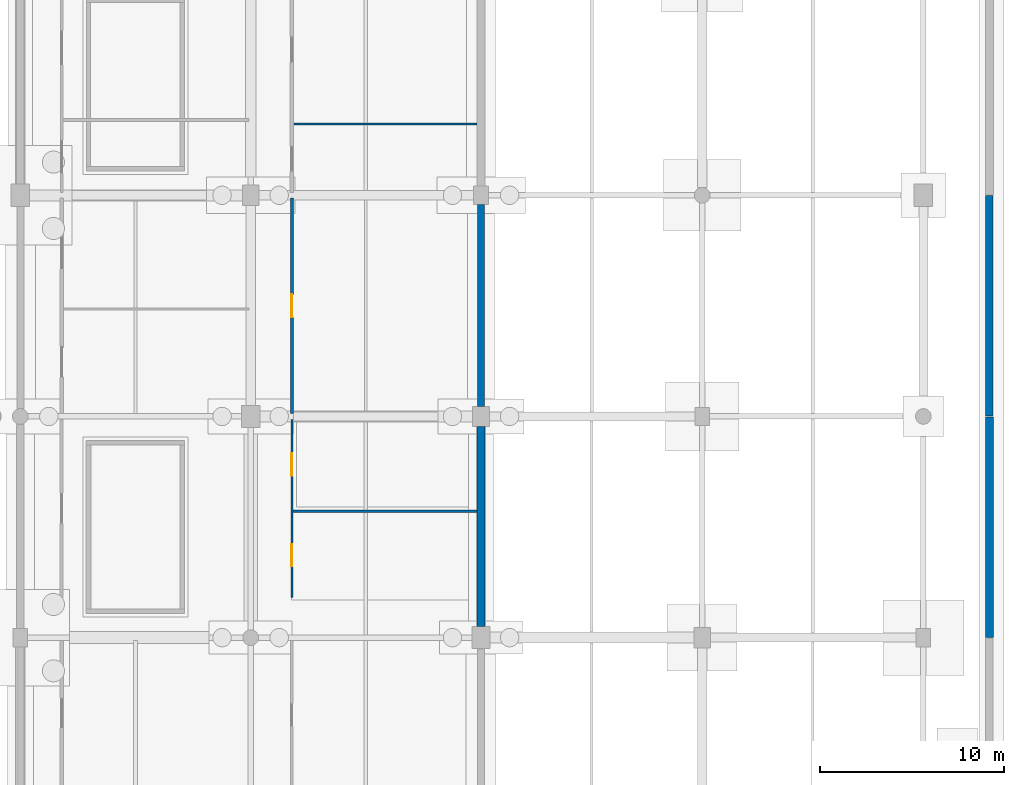
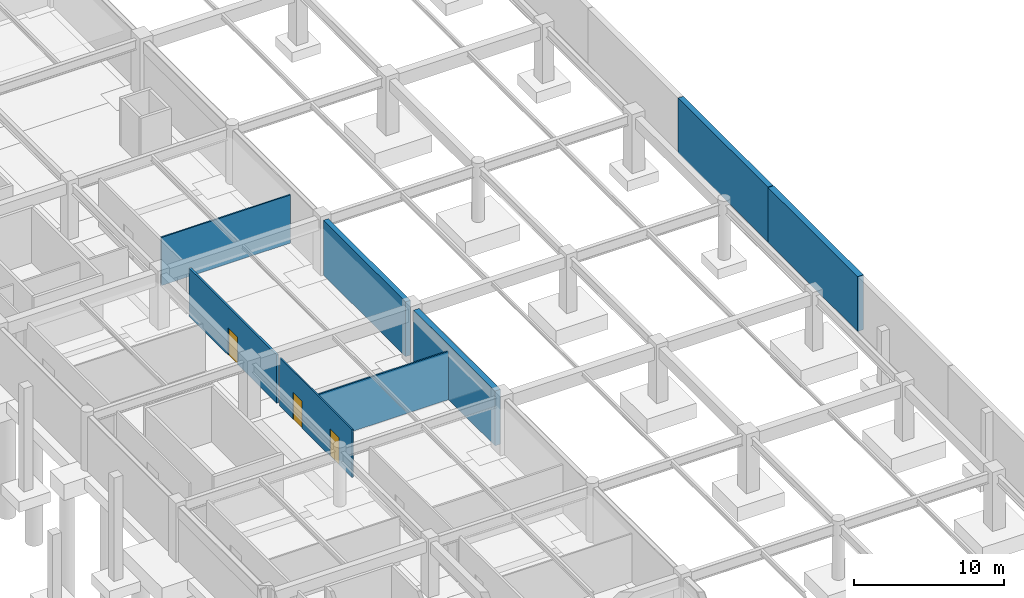
# One storey, part 33 of 56: 8 walls, 3 doors, 3 openings.
"""IFC4 building model written with IfcOpenShell, lengths in metres."""

import ifcopenshell
import ifcopenshell.guid

model = None  # the IFC model being written
_history = None  # IfcOwnerHistory: only IFC2X3 demands one
_inside = {}  # id of a spatial element -> (the spatial element, [elements in it])
_under = {}  # id of a project, library or spatial element -> (it, [spatial elements below it])
_declared = {}  # id of a project -> (the project, [libraries it declares])
_typed = {}  # id of a type object -> (the type object, [elements of that type])
_made_of = {}  # id of a material, layer set ... -> (it, [elements and type objects made of it])


def new_model(schema):
    """Start an empty IFC model of exactly this schema.

    Asked for "IFC4X3", IfcOpenShell would pick the latest addendum, in which some entities
    have other attributes; the version numbers below select the first issue.
    IFC2X3 requires an IfcOwnerHistory on every rooted entity: one is made here for all.
    """
    global model, _history
    if schema == "IFC4X3":
        model = ifcopenshell.file(schema_version=(4, 3, 0, 0))
    else:
        model = ifcopenshell.file(schema=schema)
    _inside.clear()
    _under.clear()
    _declared.clear()
    _typed.clear()
    _made_of.clear()
    _history = None
    if model.schema == "IFC2X3":
        org = make("IfcOrganization", Name="unknown")
        user = make(
            "IfcPersonAndOrganization",
            ThePerson=make("IfcPerson", FamilyName="unknown"),
            TheOrganization=org,
        )
        app = make(
            "IfcApplication",
            ApplicationDeveloper=org,
            Version="unknown",
            ApplicationFullName="unknown",
            ApplicationIdentifier="unknown",
        )
        _history = make(
            "IfcOwnerHistory",
            OwningUser=user,
            OwningApplication=app,
            ChangeAction="ADDED",
            CreationDate=0,
        )
    return model


def make(cls, **values):
    """One entity of the class cls with the attributes given. An attribute that is None is left unset."""
    return model.create_entity(
        cls, **{name: value for name, value in values.items() if value is not None}
    )


def rooted(cls, **values):
    """An entity with a GlobalId (a new one), such as an element, a storey or a relation."""
    return make(cls, GlobalId=ifcopenshell.guid.new(), OwnerHistory=_history, **values)


def si_unit(unit_type, name, prefix=None):
    """IfcSIUnit, for example si_unit("LENGTHUNIT", "METRE", prefix="MILLI")."""
    return make("IfcSIUnit", UnitType=unit_type, Prefix=prefix, Name=name)


def assignment(units):
    """IfcUnitAssignment: the units of a project."""
    return None if units is None else make("IfcUnitAssignment", Units=units)


def point(xyz):
    """IfcCartesianPoint."""
    return None if xyz is None else make("IfcCartesianPoint", Coordinates=xyz)


def direction(xyz):
    """IfcDirection."""
    return None if xyz is None else make("IfcDirection", DirectionRatios=xyz)


def frame(location, z_axis=None, x_axis=None):
    """IfcAxis2Placement3D, a coordinate frame: its origin and axes. An axis left out is left unset."""
    return make(
        "IfcAxis2Placement3D",
        Location=point(location),
        Axis=direction(z_axis),
        RefDirection=direction(x_axis),
    )


def frame_2d(location, x_axis=None):
    """IfcAxis2Placement2D, a coordinate frame in the plane: its origin and x axis."""
    return make(
        "IfcAxis2Placement2D", Location=point(location), RefDirection=direction(x_axis)
    )


def origin():
    """The frame at (0, 0, 0) with its axes left unset."""
    return frame((0.0, 0.0, 0.0))


def place(relative_to, where):
    """IfcLocalPlacement: puts the frame where relative to a parent placement (None: the world)."""
    return make(
        "IfcLocalPlacement", PlacementRelTo=relative_to, RelativePlacement=where
    )


def context(
    kind, dimensions, precision=None, world=None, true_north=None, identifier=None
):
    """IfcGeometricRepresentationContext, for example the 3D "Model" context."""
    return make(
        "IfcGeometricRepresentationContext",
        ContextIdentifier=identifier,
        ContextType=kind,
        CoordinateSpaceDimension=dimensions,
        Precision=precision,
        WorldCoordinateSystem=world,
        TrueNorth=true_north,
    )


def subcontext(parent, identifier, kind, view, scale=None):
    """IfcGeometricRepresentationSubContext, for example "Body" below "Model"."""
    return make(
        "IfcGeometricRepresentationSubContext",
        ContextIdentifier=identifier,
        ContextType=kind,
        ParentContext=parent,
        TargetScale=scale,
        TargetView=view,
    )


def project(units=None, contexts=None):
    """IfcProject with its units and contexts."""
    return rooted(
        "IfcProject",
        Name="project",
        RepresentationContexts=contexts,
        UnitsInContext=assignment(units),
    )


def spatial(cls, under=None, at=None, **own):
    """A site, building, storey or space (cls), placed at a placement, below another one or the project."""
    s = rooted(cls, ObjectPlacement=at, **own)
    if under is not None:
        _under.setdefault(under.id(), (under, []))[1].append(s)
    return s


def profile(cls, at=None, kind="AREA", **sizes):
    """A parametric profile (cls). Its sizes go by their IFC names, for example OverallWidth=200.0."""
    return make(cls, ProfileType=kind, Position=at, **sizes)


def rectangle(**sizes):
    """IfcRectangleProfileDef."""
    return profile("IfcRectangleProfileDef", **sizes)


def extrude(swept, where, along, depth):
    """IfcExtrudedAreaSolid: the profile swept, set in the frame where, extruded along a direction by depth."""
    return make(
        "IfcExtrudedAreaSolid",
        SweptArea=swept,
        Position=where,
        ExtrudedDirection=direction(along),
        Depth=depth,
    )


def shape(context_of_items, identifier, shape_type, items):
    """IfcShapeRepresentation: the items that make up one representation, for example the "Body"."""
    return make(
        "IfcShapeRepresentation",
        ContextOfItems=context_of_items,
        RepresentationIdentifier=identifier,
        RepresentationType=shape_type,
        Items=items,
    )


def material(Name=None, Category=None):
    """IfcMaterial."""
    return make("IfcMaterial", Name=Name, Category=Category)


def layer(
    of_material, thickness, ventilated=None, Name=None, Category=None, Priority=None
):
    """IfcMaterialLayer: one layer of a wall or slab, of a material (None: an air gap)."""
    return make(
        "IfcMaterialLayer",
        Material=of_material,
        LayerThickness=thickness,
        IsVentilated=ventilated,
        Name=Name,
        Category=Category,
        Priority=Priority,
    )


def layer_set(layers, Name=None):
    """IfcMaterialLayerSet."""
    return make("IfcMaterialLayerSet", MaterialLayers=layers, LayerSetName=Name)


def made_of(thing, what):
    """Note that an element or type object is made of a material, layer set ...; save() writes the relation."""
    if what is not None:
        _made_of.setdefault(what.id(), (what, []))[1].append(thing)
    return thing


def type_object(cls, material=None, **own):
    """A type object (cls), such as IfcWallType, which elements share."""
    return made_of(rooted(cls, **own), material)


def element(
    cls,
    number,
    at=None,
    inside=None,
    cuts=None,
    type_object=None,
    material=None,
    context=None,
    identifier="Body",
    shape_type=None,
    held_by="IfcProductDefinitionShape",
    body=None,
    shapes=None,
    **own,
):
    """One element of the class cls, such as IfcWall. Its Tag is "e" and its number.

    at: its placement. inside: the storey or other place that contains it. cuts: it is an
    opening in that element (IfcRelVoidsElement). A single representation is given by context,
    identifier, shape_type and body (its items); several are given by shapes. held_by: the class
    of the entity that holds the representations. save() writes the other relations.
    """
    e = rooted(cls, Tag="e%d" % number, ObjectPlacement=at, **own)
    if body is not None:
        shapes = [shape(context, identifier, shape_type, body)]
    if shapes is not None:
        e.Representation = make(held_by, Representations=shapes)
    if inside is not None:
        _inside.setdefault(inside.id(), (inside, []))[1].append(e)
    if cuts is not None:
        rooted(
            "IfcRelVoidsElement", RelatingBuildingElement=cuts, RelatedOpeningElement=e
        )
    if type_object is not None:
        _typed.setdefault(type_object.id(), (type_object, []))[1].append(e)
    return made_of(e, material)


def fill(opening, filler):
    """IfcRelFillsElement: the door or window that sits in an opening."""
    return rooted(
        "IfcRelFillsElement",
        RelatingOpeningElement=opening,
        RelatedBuildingElement=filler,
    )


def aggregate(whole, parts):
    """IfcRelAggregates: a whole, such as a stair, and the parts it consists of."""
    return rooted("IfcRelAggregates", RelatingObject=whole, RelatedObjects=parts)


def save(model, path):
    """Write the relations noted so far, then the file.

    IfcRelAggregates (storeys below a building ...), IfcRelContainedInSpatialStructure (elements
    in a storey), IfcRelDefinesByType, IfcRelAssociatesMaterial and IfcRelDeclares: one each for
    every whole, place, type object, material and project.
    """
    for whole, parts in _under.values():
        aggregate(whole, parts)
    for where, things in _inside.values():
        rooted(
            "IfcRelContainedInSpatialStructure",
            RelatedElements=things,
            RelatingStructure=where,
        )
    for kind, things in _typed.values():
        rooted("IfcRelDefinesByType", RelatedObjects=things, RelatingType=kind)
    for what, things in _made_of.values():
        rooted("IfcRelAssociatesMaterial", RelatedObjects=things, RelatingMaterial=what)
    for by, libraries in _declared.values():
        rooted("IfcRelDeclares", RelatingContext=by, RelatedDefinitions=libraries)
    model.write(path)


model = new_model("IFC4")

# Units and contexts
model_context = context("Model", 3, precision=1e-05, world=origin(), true_north=direction((0.0, 1.0)))
body_context = subcontext(model_context, "Body", "Model", "MODEL_VIEW")
ifc_project = project(units=[si_unit("LENGTHUNIT", "METRE"), si_unit("AREAUNIT", "SQUARE_METRE"), si_unit("VOLUMEUNIT", "CUBIC_METRE"), si_unit("PLANEANGLEUNIT", "RADIAN"), si_unit("MASSUNIT", "GRAM", prefix="KILO")], contexts=[model_context])

# Site, building, storey
site_placement = place(None, origin())
site = spatial("IfcSite", under=ifc_project, at=site_placement, CompositionType="ELEMENT")
building_placement = place(site_placement, origin())
building = spatial("IfcBuilding", under=site, at=building_placement, Name="Kazenohara Klinker Stadium", CompositionType="ELEMENT")
storey_placement = place(building_placement, frame((0.0, 0.0, -4.800048828125)))
storey = spatial("IfcBuildingStorey", under=building, at=storey_placement, Name="B01", CompositionType="ELEMENT", Elevation=-4.800048828125)

# Walls
ifc_material_1 = material(Name="Concrete C40/50", Category="concrete")
ifc_layer_1 = layer(ifc_material_1, 0.39990234375)
ifc_layer_set_1 = layer_set([ifc_layer_1], Name="Concrete C40/50")
wall_type_1 = type_object("IfcWallType", Name="WAL-B01-PLINTH400", PredefinedType="USERDEFINED", material=ifc_layer_set_1)
wall_1_placement = place(storey_placement, frame((227.580078125, 108.02001953125, 0.0), z_axis=(0.0, 0.0, 1.0), x_axis=(0.0, 1.0, 0.0)))
element("IfcWall", 1, at=wall_1_placement, inside=storey, type_object=wall_type_1, Name="Street plinth retaining wall RW04 East-10", ObjectType="RETAINING WALL", PredefinedType="USERDEFINED", context=body_context, shape_type="SweptSolid", body=[
    extrude(rectangle(XDim=11.9599609375, YDim=0.39990234375, at=frame_2d((5.97998046875, 0.0))), origin(), (0.0, 0.0, 1.0), 4.4599609375),
])
ifc_layer_2 = layer(ifc_material_1, 0.43994140625)
ifc_layer_set_2 = layer_set([ifc_layer_2], Name="Concrete C40/50")
wall_type_2 = type_object("IfcWallType", Name="WAL-B01-PLINTH440", PredefinedType="USERDEFINED", material=ifc_layer_set_2)
wall_2_placement = place(storey_placement, frame((227.580078125, 96.02001953125, 0.0), z_axis=(0.0, 0.0, 1.0), x_axis=(0.0, 1.0, 0.0)))
element("IfcWall", 2, at=wall_2_placement, inside=storey, type_object=wall_type_2, Name="Street plinth retaining wall RW03 East-09", ObjectType="RETAINING WALL", PredefinedType="USERDEFINED", context=body_context, shape_type="SweptSolid", body=[
    extrude(rectangle(XDim=11.9599609375, YDim=0.43994140625, at=frame_2d((5.97998046875, 0.0))), origin(), (0.0, 0.0, 1.0), 4.4599609375),
])
ifc_layer_3 = layer(ifc_material_1, 0.3798828125)
ifc_layer_set_3 = layer_set([ifc_layer_3], Name="Concrete C40/50")
wall_type_3 = type_object("IfcWallType", Name="WAL-B01-RET380", PredefinedType="STANDARD", material=ifc_layer_set_3)
wall_3_placement = place(storey_placement, frame((200.0, 108.553955078125, 0.0), z_axis=(0.0, 0.0, 1.0), x_axis=(0.0, 1.0, 0.0)))
element("IfcWall", 3, at=wall_3_placement, inside=storey, type_object=wall_type_3, Name="Basement perimeter retaining wall RW02 Y-16-09", PredefinedType="STANDARD", context=body_context, shape_type="SweptSolid", body=[
    extrude(rectangle(XDim=10.942138671875, YDim=0.3798828125, at=frame_2d((5.47119140625, 0.0))), origin(), (0.0, 0.0, 1.0), 4.4599609375),
])
ifc_layer_4 = layer(ifc_material_1, 0.419921875)
ifc_layer_set_4 = layer_set([ifc_layer_4], Name="Concrete C40/50")
wall_type_4 = type_object("IfcWallType", Name="WAL-B01-RET420", PredefinedType="STANDARD", material=ifc_layer_set_4)
wall_4_placement = place(storey_placement, frame((200.0, 96.60400390625, 0.0), z_axis=(0.0, 0.0, 1.0), x_axis=(0.0, 1.0, 0.0)))
element("IfcWall", 4, at=wall_4_placement, inside=storey, type_object=wall_type_4, Name="Basement perimeter retaining wall RW01 Y-16-08", PredefinedType="STANDARD", context=body_context, shape_type="SweptSolid", body=[
    extrude(rectangle(XDim=10.842041015625, YDim=0.419921875, at=frame_2d((5.4208984375, 0.0))), origin(), (0.0, 0.0, 1.0), 4.4599609375),
])

# Wall, openings, doors
ifc_material_2 = material(Name="Fire-rated gypsum board on acoustic studs", Category="gypsum")
ifc_layer_5 = layer(ifc_material_2, 0.110107421875)
ifc_layer_set_5 = layer_set([ifc_layer_5], Name="Fire-rated gypsum board on acoustic studs")
wall_type_5 = type_object("IfcWallType", Name="WAL-INT-P110", PredefinedType="PARTITIONING", material=ifc_layer_set_5)
wall_5_placement = place(storey_placement, frame((189.739990234375, 98.169921875, 0.0), z_axis=(0.0, 0.0, 1.0), x_axis=(0.0, 1.0, 0.0)))
wall_5 = element("IfcWall", 5, at=wall_5_placement, inside=storey, type_object=wall_type_5, Name="Interior partition wall PT01 SPC-B01-15-08-1-1", PredefinedType="PARTITIONING", context=body_context, shape_type="SweptSolid", body=[
    extrude(rectangle(XDim=9.670166015625, YDim=0.110107421875, at=frame_2d((4.8349609375, 0.0))), origin(), (0.0, 0.0, 1.0), 3.920166015625),
])
opening_1_placement = place(wall_5_placement, frame((2.89501953125, 0.0, 0.0), z_axis=(0.0, 0.0, 1.0), x_axis=(-1.0, 0.0, 0.0)))
opening_1 = element("IfcOpeningElement", 6, at=opening_1_placement, cuts=wall_5, Name="Opening ID11", PredefinedType="OPENING", context=body_context, shape_type="SweptSolid", body=[
    extrude(rectangle(XDim=1.179931640625, YDim=2.199951171875, at=frame_2d((0.58984375, 1.10009765625))), frame((0.0, 0.06494140625, 0.0), z_axis=(0.0, -1.0, 0.0), x_axis=(1.0, 0.0, 0.0)), (0.0, 0.0, 1.0), 0.130126953125),
])
opening_2_placement = place(wall_5_placement, frame((7.824951171875, 0.0, 0.0), z_axis=(0.0, 0.0, 1.0), x_axis=(-1.0, 0.0, 0.0)))
opening_2 = element("IfcOpeningElement", 7, at=opening_2_placement, cuts=wall_5, Name="Opening ID12", PredefinedType="OPENING", context=body_context, shape_type="SweptSolid", body=[
    extrude(rectangle(XDim=1.2099609375, YDim=2.179931640625, at=frame_2d((0.60498046875, 1.08984375))), frame((0.0, 0.06494140625, 0.0), z_axis=(0.0, -1.0, 0.0), x_axis=(1.0, 0.0, 0.0)), (0.0, 0.0, 1.0), 0.130126953125),
])
ifc_material_3 = material(Name="Solid-core Hokkaido oak fire door", Category="wood")
door_type_1 = type_object("IfcDoorType", Name="DR-INT-11", OperationType="NOTDEFINED", PredefinedType="DOOR", material=ifc_material_3)
door_1_placement = place(opening_1_placement, origin())
door_1 = element("IfcDoor", 8, at=door_1_placement, inside=storey, type_object=door_type_1, Name="Interior door ID11 Mixed Zone Broadcast Interview Studio B01-1508A", OperationType="SINGLE_SWING_RIGHT", OverallHeight=2.199951171875, OverallWidth=1.179931640625, PredefinedType="DOOR", context=body_context, shape_type="SweptSolid", body=[
    extrude(rectangle(XDim=1.179931640625, YDim=2.199951171875, at=frame_2d((0.58984375, 1.10009765625))), frame((0.0, 0.02490234375, 0.0), z_axis=(0.0, -1.0, 0.0), x_axis=(1.0, 0.0, 0.0)), (0.0, 0.0, 1.0), 0.050048828125),
])
fill(opening_1, door_1)
door_type_2 = type_object("IfcDoorType", Name="DR-INT-12", OperationType="NOTDEFINED", PredefinedType="DOOR", material=ifc_material_3)
door_2_placement = place(opening_2_placement, origin())
door_2 = element("IfcDoor", 9, at=door_2_placement, inside=storey, type_object=door_type_2, Name="Interior door ID12 Visiting-Club Athlete Changing Room B01-1508B", OperationType="SINGLE_SWING_LEFT", OverallHeight=2.179931640625, OverallWidth=1.2099609375, PredefinedType="DOOR", context=body_context, shape_type="SweptSolid", body=[
    extrude(rectangle(XDim=1.2099609375, YDim=2.179931640625, at=frame_2d((0.60498046875, 1.08984375))), frame((0.0, 0.02490234375, 0.0), z_axis=(0.0, -1.0, 0.0), x_axis=(1.0, 0.0, 0.0)), (0.0, 0.0, 1.0), 0.050048828125),
])
fill(opening_2, door_2)

# Walls
wall_6_placement = place(storey_placement, frame((189.840087890625, 123.874267578125, 0.0), z_axis=(0.0, 0.0, 1.0), x_axis=(1.0, 0.0, 0.0)))
element("IfcWall", 10, at=wall_6_placement, inside=storey, type_object=wall_type_5, Name="Interior partition wall PT01 SPC-B01-15-10-1-2", PredefinedType="PARTITIONING", context=body_context, shape_type="SweptSolid", body=[
    extrude(rectangle(XDim=9.947998046875, YDim=0.110107421875, at=frame_2d((4.97412109375, 0.0))), origin(), (0.0, 0.0, 1.0), 3.920166015625),
])
ifc_layer_6 = layer(ifc_material_2, 0.1201171875)
ifc_layer_set_6 = layer_set([ifc_layer_6], Name="Fire-rated gypsum board on acoustic studs")
wall_type_6 = type_object("IfcWallType", Name="WAL-INT-P120", PredefinedType="PARTITIONING", material=ifc_layer_set_6)
wall_7_placement = place(storey_placement, frame((189.800048828125, 102.85986328125, 0.0), z_axis=(0.0, 0.0, 1.0), x_axis=(1.0, 0.0, 0.0)))
element("IfcWall", 11, at=wall_7_placement, inside=storey, type_object=wall_type_6, Name="Interior partition wall PT02 SPC-B01-15-08-1-2", PredefinedType="PARTITIONING", context=body_context, shape_type="SweptSolid", body=[
    extrude(rectangle(XDim=9.988037109375, YDim=0.1201171875, at=frame_2d((4.994140625, 0.0))), origin(), (0.0, 0.0, 1.0), 3.920166015625),
])

# Wall, opening, door
ifc_layer_7 = layer(ifc_material_2, 0.14990234375)
ifc_layer_set_7 = layer_set([ifc_layer_7], Name="Fire-rated gypsum board on acoustic studs")
wall_type_7 = type_object("IfcWallType", Name="WAL-INT-P150", PredefinedType="PARTITIONING", material=ifc_layer_set_7)
wall_8_placement = place(storey_placement, frame((189.739990234375, 108.159912109375, 0.0), z_axis=(0.0, 0.0, 1.0), x_axis=(0.0, 1.0, 0.0)))
wall_8 = element("IfcWall", 12, at=wall_8_placement, inside=storey, type_object=wall_type_7, Name="Interior partition wall PT04 SPC-B01-15-09-1-1", PredefinedType="PARTITIONING", context=body_context, shape_type="SweptSolid", body=[
    extrude(rectangle(XDim=11.68017578125, YDim=0.14990234375, at=frame_2d((5.840087890625, 0.0))), origin(), (0.0, 0.0, 1.0), 3.920166015625),
])
opening_3_placement = place(wall_8_placement, frame((6.4599609375, 0.0, 0.0), z_axis=(0.0, 0.0, 1.0), x_axis=(-1.0, 0.0, 0.0)))
opening_3 = element("IfcOpeningElement", 13, at=opening_3_placement, cuts=wall_8, Name="Opening ID13", PredefinedType="OPENING", context=body_context, shape_type="SweptSolid", body=[
    extrude(rectangle(XDim=1.239990234375, YDim=2.219970703125, at=frame_2d((0.6201171875, 1.10986328125))), frame((0.0, 0.0849609375, 0.0), z_axis=(0.0, -1.0, 0.0), x_axis=(1.0, 0.0, 0.0)), (0.0, 0.0, 1.0), 0.169921875),
])
door_type_3 = type_object("IfcDoorType", Name="DR-INT-13", OperationType="NOTDEFINED", PredefinedType="DOOR", material=ifc_material_3)
door_3_placement = place(opening_3_placement, origin())
door_3 = element("IfcDoor", 14, at=door_3_placement, inside=storey, type_object=door_type_3, Name="Interior door ID13 Indoor Turf Sprint Training Arena B01-1509A", OperationType="SINGLE_SWING_RIGHT", OverallHeight=2.219970703125, OverallWidth=1.239990234375, PredefinedType="DOOR", context=body_context, shape_type="SweptSolid", body=[
    extrude(rectangle(XDim=1.239990234375, YDim=2.219970703125, at=frame_2d((0.6201171875, 1.10986328125))), frame((0.0, 0.02490234375, 0.0), z_axis=(0.0, -1.0, 0.0), x_axis=(1.0, 0.0, 0.0)), (0.0, 0.0, 1.0), 0.050048828125),
])
fill(opening_3, door_3)

save(model, "model.ifc")
